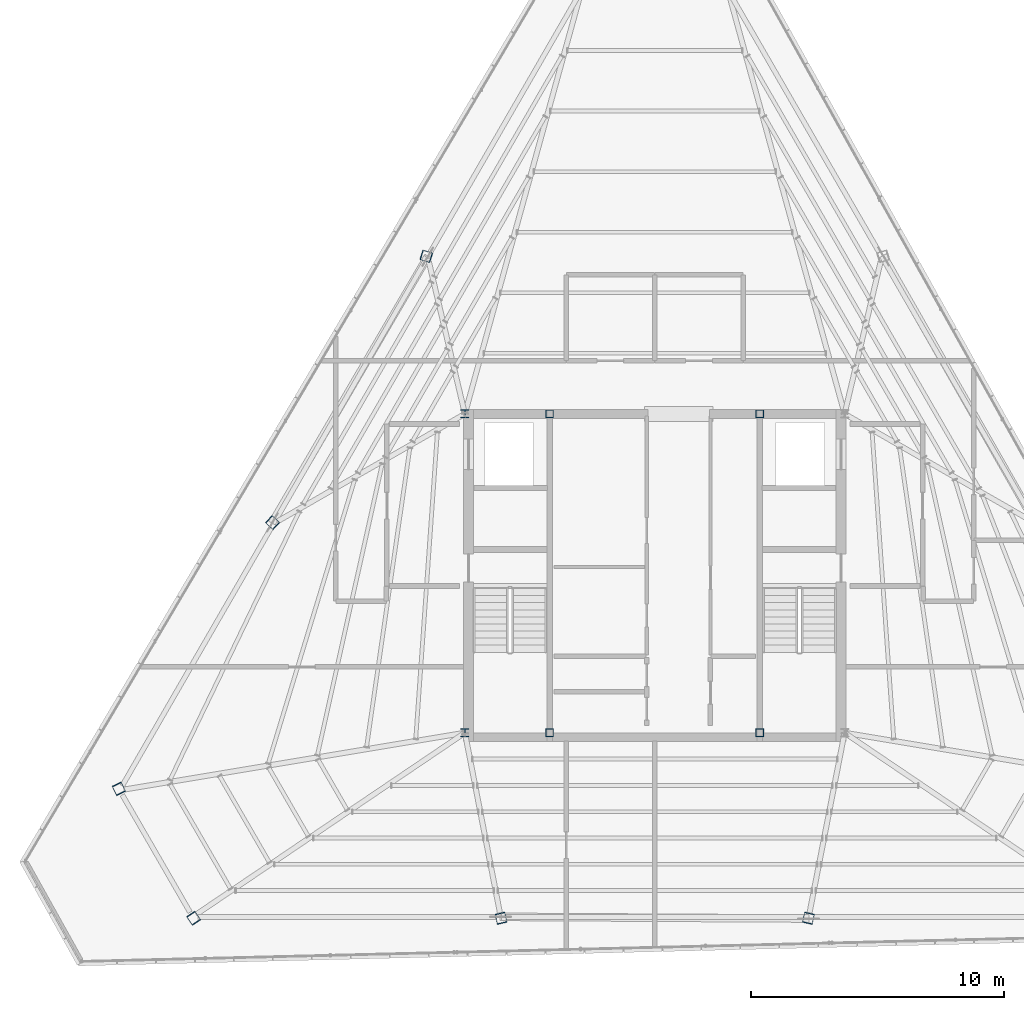
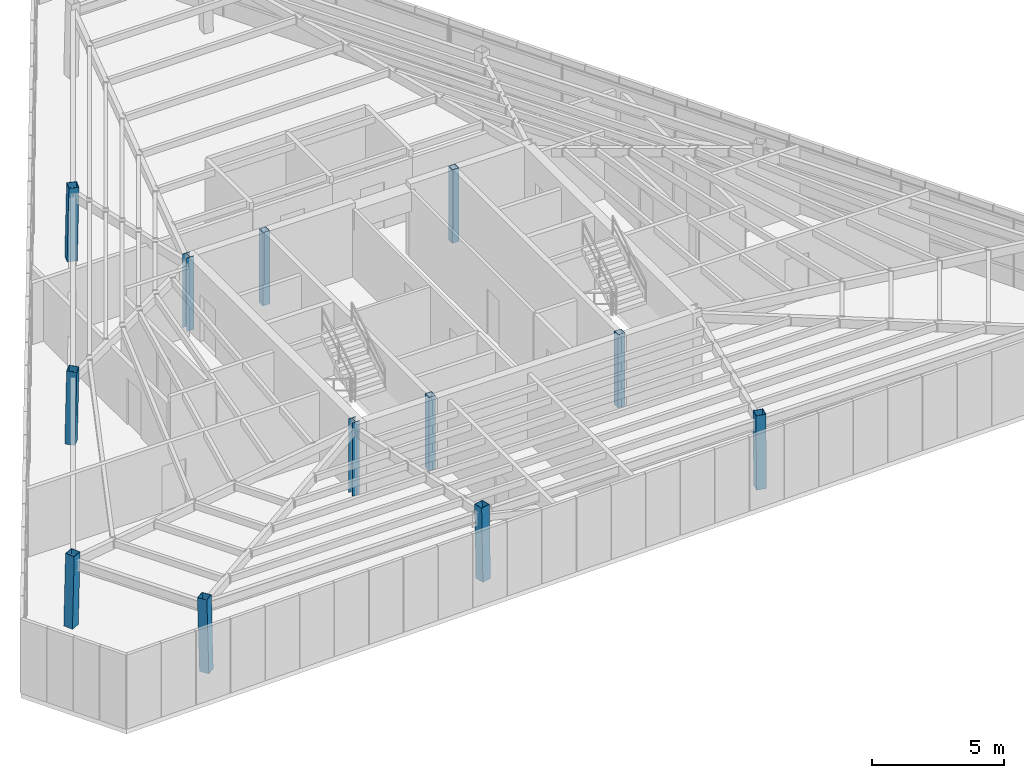
# One storey, part 1 of 47: 12 columns.
"""IFC4 building model written with IfcOpenShell, lengths in metres."""

from ifc_helpers import new_model, si_unit, direction, frame, origin, origin_2d, place, context, subcontext, project, spatial, hollow_rectangle, i_section, extrude, source, transform, mapped, material, material_profile, profile_set, type_object, type_shapes, element, save


model = new_model("IFC4")

# Units and contexts
model_context = context("Model", 3, precision=1e-05, world=origin(), true_north=direction((0.0, 1.0)))
body_context = subcontext(model_context, "Body", "Model", "MODEL_VIEW")
ifc_project = project(units=[si_unit("LENGTHUNIT", "METRE"), si_unit("AREAUNIT", "SQUARE_METRE"), si_unit("VOLUMEUNIT", "CUBIC_METRE"), si_unit("PLANEANGLEUNIT", "RADIAN"), si_unit("MASSUNIT", "GRAM", prefix="KILO")], contexts=[model_context])

# Site, building, storey
site_placement = place(None, origin())
site = spatial("IfcSite", under=ifc_project, at=site_placement, CompositionType="ELEMENT")
building_placement = place(site_placement, origin())
building = spatial("IfcBuilding", under=site, at=building_placement, Name="Caelisora Broadcast Tower", CompositionType="ELEMENT")
storey_placement = place(building_placement, frame((0.0, 0.0, 293.199951171875)))
storey = spatial("IfcBuildingStorey", under=building, at=storey_placement, Name="L77", CompositionType="ELEMENT", Elevation=293.199951171875)

# Columns
ifc_material_1 = material(Name="Steel Grade 350 (AS/NZS 1163 C350L0)", Category="steel")
ifc_material_profile_1 = material_profile(ifc_material_1, hollow_rectangle(XDim=0.39990234375, YDim=0.39990234375, WallThickness=0.01611328125, at=origin_2d()), Name="Steel Grade 350 (AS/NZS 1163 C350L0)")
ifc_profile_set_1 = profile_set([ifc_material_profile_1], Name="Steel Grade 350 (AS/NZS 1163 C350L0)")
column_type_1 = type_object("IfcColumnType", Name="MC08", PredefinedType="COLUMN", material=ifc_profile_set_1)
shared_shape_1 = source(origin(), body_context, "Body", "SweptSolid", [
    extrude(hollow_rectangle(XDim=0.39990234375, YDim=0.39990234375, WallThickness=0.01611328125, at=origin_2d()), origin(), (0.0, 0.0, 1.0), 3.40087890625),
])
for number, where, z_axis, x_axis, name in (
    (1, (28.963134765625, 36.226318359375, 0.0), (0.019454569029, -0.006030198518, 0.999792556709), (0.296066615098, 0.955167293946, 0.0), "L77 column MC08"),
    (2, (22.893310546875, 25.712890625, 0.0), (0.014931934338, -0.013783324004, 0.999793507339), (0.678280102733, 0.734803444627, 0.0), "L77 column MC08"),
    (3, (31.93017578125, 10.060791015625, 0.0), (-0.004522652991, 0.019813527388, 0.999793463543), (-0.974924232936, -0.22253705317, 0.0), "L77 column MC08"),
    (4, (44.06982421875, 10.060791015625, 0.0), (0.004522652991, 0.019813527388, 0.999793463543), (-0.974924232936, 0.22253705317, 0.0), "L77 column MC08"),
):
    element("IfcColumn", number, at=place(storey_placement, frame(where, z_axis=z_axis, x_axis=x_axis)), inside=storey, type_object=column_type_1, Name=name, PredefinedType="COLUMN", context=body_context, shape_type="MappedRepresentation", body=[
        mapped(shared_shape_1, transform((0.0, 0.0, 0.0), scale=1.0)),
    ])
ifc_material_2 = material(Name="Steel Grade 350 (AS/NZS 3679.1)", Category="steel")
ifc_material_profile_2 = material_profile(ifc_material_2, i_section(OverallWidth=0.31103515625, OverallDepth=0.3271484375, WebThickness=0.015625, FlangeThickness=0.02490234375, at=origin_2d()), Name="Steel Grade 350 (AS/NZS 3679.1)")
ifc_profile_set_2 = profile_set([ifc_material_profile_2], Name="Steel Grade 350 (AS/NZS 3679.1)")
column_type_2 = type_object("IfcColumnType", Name="CC03", PredefinedType="COLUMN", material=ifc_profile_set_2)
shared_shape_2 = source(origin(), body_context, "Body", "SweptSolid", [
    extrude(i_section(OverallWidth=0.31103515625, OverallDepth=0.3271484375, WebThickness=0.015625, FlangeThickness=0.02490234375, at=origin_2d()), origin(), (0.0, 0.0, 1.0), 3.400146484375),
])
type_shapes(column_type_2, [shared_shape_2])
for number, where, z_axis, x_axis, name in (
    (5, (30.5, 17.39990234375, 0.0), (0.0, 0.0, 1.0), (1.0, 0.0, 0.0), "L77 column CC03"),
    (6, (30.5, 30.0, 0.0), (0.0, 0.0, 1.0), (1.0, 0.0, 0.0), "L77 column CC03"),
):
    element("IfcColumn", number, at=place(storey_placement, frame(where, z_axis=z_axis, x_axis=x_axis)), inside=storey, type_object=column_type_2, Name=name, PredefinedType="COLUMN", context=body_context, shape_type="MappedRepresentation", body=[
        mapped(shared_shape_2, transform((0.0, 0.0, 0.0), scale=1.0)),
    ])
ifc_material_profile_3 = material_profile(ifc_material_1, hollow_rectangle(XDim=0.300048828125, YDim=0.300048828125, WallThickness=0.012451171875, at=origin_2d()), Name="Steel Grade 350 (AS/NZS 1163 C350L0)")
ifc_profile_set_3 = profile_set([ifc_material_profile_3], Name="Steel Grade 350 (AS/NZS 1163 C350L0)")
column_type_3 = type_object("IfcColumnType", Name="CC08", PredefinedType="COLUMN", material=ifc_profile_set_3)
shared_shape_3 = source(origin(), body_context, "Body", "SweptSolid", [
    extrude(hollow_rectangle(XDim=0.300048828125, YDim=0.300048828125, WallThickness=0.012451171875, at=origin_2d()), origin(), (0.0, 0.0, 1.0), 3.400146484375),
])
type_shapes(column_type_3, [shared_shape_3])
for number, where, z_axis, x_axis, name in (
    (7, (33.85009765625, 17.39990234375, 0.0), (0.0, 0.0, 1.0), (1.0, 0.0, 0.0), "L77 column CC08"),
    (8, (42.14990234375, 17.39990234375, 0.0), (0.0, 0.0, 1.0), (1.0, 0.0, 0.0), "L77 column CC08"),
    (9, (33.85009765625, 30.0, 0.0), (0.0, 0.0, 1.0), (1.0, 0.0, 0.0), "L77 column CC08"),
    (10, (42.14990234375, 30.0, 0.0), (0.0, 0.0, 1.0), (1.0, 0.0, 0.0), "L77 column CC08"),
):
    element("IfcColumn", number, at=place(storey_placement, frame(where, z_axis=z_axis, x_axis=x_axis)), inside=storey, type_object=column_type_3, Name=name, PredefinedType="COLUMN", context=body_context, shape_type="MappedRepresentation", body=[
        mapped(shared_shape_3, transform((0.0, 0.0, 0.0), scale=1.0)),
    ])
shared_shape_4 = source(origin(), body_context, "Body", "SweptSolid", [
    extrude(hollow_rectangle(XDim=0.39990234375, YDim=0.39990234375, WallThickness=0.01611328125, at=origin_2d()), origin(), (0.0, 0.0, 1.0), 3.401123046875),
])
type_shapes(column_type_1, [shared_shape_1, shared_shape_4])
for number, where, z_axis, x_axis, name in (
    (11, (16.823486328125, 15.19970703125, 0.0), (0.010408452519, -0.02153472935, 0.999713918853), (0.900348952842, 0.43516866054, 0.0), "L77 column MC08"),
    (12, (19.79052734375, 10.060791015625, 0.0), (-0.013495079849, 0.019811925736, 0.999712643922), (-0.826480672062, -0.562965095462, 0.0), "L77 column MC08"),
):
    element("IfcColumn", number, at=place(storey_placement, frame(where, z_axis=z_axis, x_axis=x_axis)), inside=storey, type_object=column_type_1, Name=name, PredefinedType="COLUMN", context=body_context, shape_type="MappedRepresentation", body=[
        mapped(shared_shape_4, transform((0.0, 0.0, 0.0), scale=1.0)),
    ])

save(model, "model.ifc")
